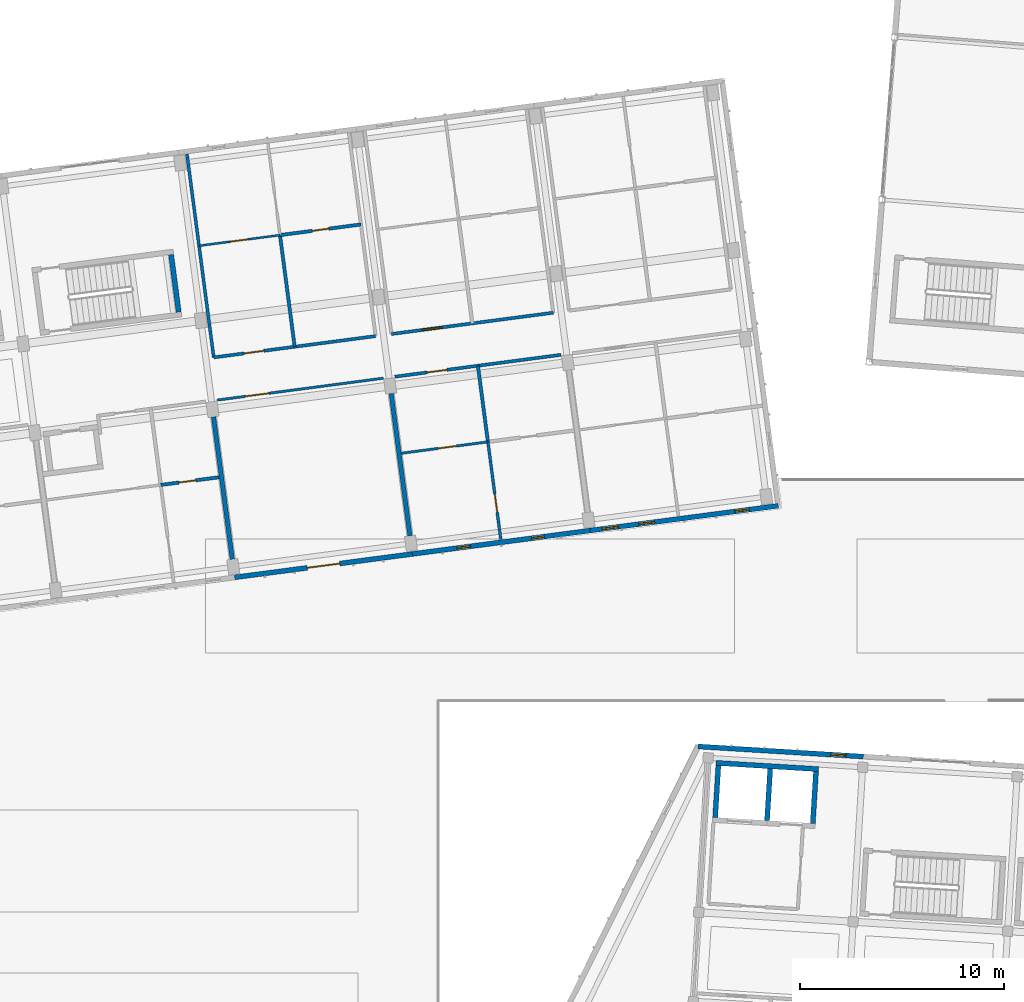
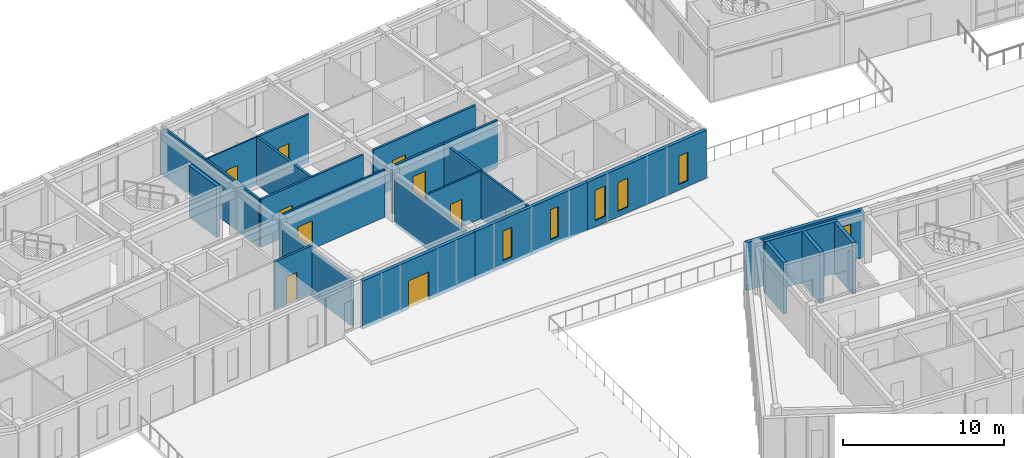
# One storey, part 94 of 150: 23 walls, 10 doors, 6 windows, 16 openings.
"""IFC4 building model written with IfcOpenShell, lengths in metres."""

from ifc_helpers import new_model, si_unit, direction, frame, frame_2d, origin, place, context, subcontext, project, spatial, rectangle, extrude, material, layer, layer_set, type_object, element, fill, save


model = new_model("IFC4")

# Units and contexts
model_context = context("Model", 3, precision=1e-05, world=origin(), true_north=direction((0.0, 1.0)))
body_context = subcontext(model_context, "Body", "Model", "MODEL_VIEW")
ifc_project = project(units=[si_unit("LENGTHUNIT", "METRE"), si_unit("AREAUNIT", "SQUARE_METRE"), si_unit("VOLUMEUNIT", "CUBIC_METRE"), si_unit("PLANEANGLEUNIT", "RADIAN"), si_unit("MASSUNIT", "GRAM", prefix="KILO")], contexts=[model_context])

# Site, building, storey
site_placement = place(None, origin())
site = spatial("IfcSite", under=ifc_project, at=site_placement, CompositionType="ELEMENT")
building_placement = place(site_placement, origin())
building = spatial("IfcBuilding", under=site, at=building_placement, Name="Kestramere Prow Commons", CompositionType="ELEMENT")
storey_placement = place(building_placement, frame((0.0, 0.0, 4.5)))
storey = spatial("IfcBuildingStorey", under=building, at=storey_placement, Name="L01", CompositionType="ELEMENT", Elevation=4.5)

# Wall, opening, door
ifc_material_1 = material(Name="Fluoropolymer Standing-Seam Zinc-Aluminium Cladding", Category="aluminium")
ifc_layer_1 = layer(ifc_material_1, 0.239990234375)
ifc_layer_set_1 = layer_set([ifc_layer_1], Name="Fluoropolymer Standing-Seam Zinc-Aluminium Cladding")
wall_type_1 = type_object("IfcWallType", Name="EW-SEAM-240", PredefinedType="SOLIDWALL", material=ifc_layer_set_1)
wall_1_placement = place(storey_placement, frame((46.16748046875, 76.073974609375, 0.0), z_axis=(0.0, 0.0, 1.0), x_axis=(-0.991444377792, -0.130529865336, 0.0)))
wall_1 = element("IfcWall", 1, at=wall_1_placement, inside=storey, type_object=wall_type_1, Name="Block A L01 South Standing-Seam Wall 4", PredefinedType="SOLIDWALL", context=body_context, shape_type="SweptSolid", body=[
    extrude(rectangle(XDim=8.800048828125, YDim=0.239990234375, at=frame_2d((4.39990234375, 0.0))), origin(), (0.0, 0.0, 1.0), 3.64990234375),
])
opening_1_placement = place(wall_1_placement, frame((3.60009765625, 0.0, 0.0)))
opening_1 = element("IfcOpeningElement", 2, at=opening_1_placement, cuts=wall_1, Name="Opening GD-TER-01", PredefinedType="OPENING", context=body_context, shape_type="SweptSolid", body=[
    extrude(rectangle(XDim=1.60009765625, YDim=2.14990234375, at=frame_2d((0.800048828125, 1.074951171875))), frame((0.0, 0.135009765625, 0.0), z_axis=(0.0, -1.0, 0.0), x_axis=(1.0, 0.0, 0.0)), (0.0, 0.0, 1.0), 0.27001953125),
])
ifc_material_2 = material(Name="Thermally-Broken Anodised Aluminium Glazed", Category="aluminium")
door_type_1 = type_object("IfcDoorType", Name="GD-TERR-1600", OperationType="DOUBLE_DOOR_SINGLE_SWING", PredefinedType="DOOR", material=ifc_material_2)
door_1_placement = place(opening_1_placement, origin())
door_1 = element("IfcDoor", 3, at=door_1_placement, inside=storey, type_object=door_type_1, Name="Block A L01 Raised Courtyard Entrance Door", OperationType="DOUBLE_DOOR_SINGLE_SWING", OverallHeight=2.14990234375, OverallWidth=1.60009765625, PredefinedType="DOOR", context=body_context, shape_type="SweptSolid", body=[
    extrude(rectangle(XDim=1.60009765625, YDim=2.14990234375, at=frame_2d((0.800048828125, 1.074951171875))), frame((0.0, 0.02490234375, 0.0), z_axis=(0.0, -1.0, 0.0), x_axis=(1.0, 0.0, 0.0)), (0.0, 0.0, 1.0), 0.050048828125),
])
fill(opening_1, door_1)

# Wall, openings, windows
wall_2_placement = place(storey_placement, frame((54.89208984375, 77.22265625, 0.0), z_axis=(0.0, 0.0, 1.0), x_axis=(-0.991443905089, -0.130533455715, 0.0)))
wall_2 = element("IfcWall", 4, at=wall_2_placement, inside=storey, type_object=wall_type_1, Name="Block A L01 South Standing-Seam Wall 5", PredefinedType="SOLIDWALL", context=body_context, shape_type="SweptSolid", body=[
    extrude(rectangle(XDim=8.7998046875, YDim=0.239990234375, at=frame_2d((4.39990234375, 0.0))), origin(), (0.0, 0.0, 1.0), 3.64990234375),
])
opening_2_placement = place(wall_2_placement, frame((2.260498046875, 0.0, 0.52001953125)))
opening_2 = element("IfcOpeningElement", 5, at=opening_2_placement, cuts=wall_2, Name="Opening WN-03", PredefinedType="OPENING", context=body_context, shape_type="SweptSolid", body=[
    extrude(rectangle(XDim=0.6201171875, YDim=2.280029296875, at=frame_2d((0.31005859375, 1.14013671875))), frame((0.0, 0.135009765625, 0.0), z_axis=(0.0, -1.0, 0.0), x_axis=(1.0, 0.0, 0.0)), (0.0, 0.0, 1.0), 0.27001953125),
])
opening_3_placement = place(wall_2_placement, frame((5.90869140625, 0.0, 0.52001953125)))
opening_3 = element("IfcOpeningElement", 6, at=opening_3_placement, cuts=wall_2, Name="Opening WN-06", PredefinedType="OPENING", context=body_context, shape_type="SweptSolid", body=[
    extrude(rectangle(XDim=0.679931640625, YDim=2.239990234375, at=frame_2d((0.33984375, 1.1201171875))), frame((0.0, 0.135009765625, 0.0), z_axis=(0.0, -1.0, 0.0), x_axis=(1.0, 0.0, 0.0)), (0.0, 0.0, 1.0), 0.27001953125),
])
ifc_material_3 = material(Name="Low-E Laminated Double Glazing", Category="glass")
window_type_1 = type_object("IfcWindowType", Name="WN-NAR-620A", PartitioningType="SINGLE_PANEL", PredefinedType="WINDOW", material=ifc_material_3)
window_1_placement = place(opening_2_placement, origin())
window_1 = element("IfcWindow", 7, at=window_1_placement, inside=storey, type_object=window_type_1, Name="WN-A-L01-S-4-00", OverallHeight=2.280029296875, OverallWidth=0.6201171875, PartitioningType="SINGLE_PANEL", PredefinedType="WINDOW", context=body_context, shape_type="SweptSolid", body=[
    extrude(rectangle(XDim=0.6201171875, YDim=2.280029296875, at=frame_2d((0.31005859375, 1.14013671875))), frame((0.0, 0.030029296875, 0.0), z_axis=(0.0, -1.0, 0.0), x_axis=(1.0, 0.0, 0.0)), (0.0, 0.0, 1.0), 0.06005859375),
])
fill(opening_2, window_1)
window_type_2 = type_object("IfcWindowType", Name="WN-NAR-680A", PartitioningType="SINGLE_PANEL", PredefinedType="WINDOW", material=ifc_material_3)
window_2_placement = place(opening_3_placement, origin())
window_2 = element("IfcWindow", 8, at=window_2_placement, inside=storey, type_object=window_type_2, Name="WN-A-L01-S-4-10", OverallHeight=2.239990234375, OverallWidth=0.679931640625, PartitioningType="SINGLE_PANEL", PredefinedType="WINDOW", context=body_context, shape_type="SweptSolid", body=[
    extrude(rectangle(XDim=0.679931640625, YDim=2.239990234375, at=frame_2d((0.33984375, 1.1201171875))), frame((0.0, 0.030029296875, 0.0), z_axis=(0.0, -1.0, 0.0), x_axis=(1.0, 0.0, 0.0)), (0.0, 0.0, 1.0), 0.06005859375),
])
fill(opening_3, window_2)

wall_3_placement = place(storey_placement, frame((64.13720703125, 78.439697265625, 0.0), z_axis=(0.0, 0.0, 1.0), x_axis=(-0.991446273426, -0.130515466173, 0.0)))
wall_3 = element("IfcWall", 9, at=wall_3_placement, inside=storey, type_object=wall_type_1, Name="Block A L01 South Standing-Seam Wall 6", PredefinedType="SOLIDWALL", context=body_context, shape_type="SweptSolid", body=[
    extrude(rectangle(XDim=9.324951171875, YDim=0.239990234375, at=frame_2d((4.66259765625, 0.0))), origin(), (0.0, 0.0, 1.0), 3.64990234375),
])
opening_4_placement = place(wall_3_placement, frame((1.4326171875, 0.0, 0.419921875)))
opening_4 = element("IfcOpeningElement", 10, at=opening_4_placement, cuts=wall_3, Name="Opening WN-08", PredefinedType="OPENING", context=body_context, shape_type="SweptSolid", body=[
    extrude(rectangle(XDim=0.719970703125, YDim=2.159912109375, at=frame_2d((0.35986328125, 1.080078125))), frame((0.0, 0.135009765625, 0.0), z_axis=(0.0, -1.0, 0.0), x_axis=(1.0, 0.0, 0.0)), (0.0, 0.0, 1.0), 0.27001953125),
])
opening_5_placement = place(wall_3_placement, frame((6.12890625, 0.0, 0.419921875)))
opening_5 = element("IfcOpeningElement", 11, at=opening_5_placement, cuts=wall_3, Name="Opening WN-11", PredefinedType="OPENING", context=body_context, shape_type="SweptSolid", body=[
    extrude(rectangle(XDim=0.780029296875, YDim=2.199951171875, at=frame_2d((0.39013671875, 1.10009765625))), frame((0.0, 0.135009765625, 0.0), z_axis=(0.0, -1.0, 0.0), x_axis=(1.0, 0.0, 0.0)), (0.0, 0.0, 1.0), 0.27001953125),
])
opening_6_placement = place(wall_3_placement, frame((7.9150390625, 0.0, 0.47998046875)))
opening_6 = element("IfcOpeningElement", 12, at=opening_6_placement, cuts=wall_3, Name="Opening WN-12", PredefinedType="OPENING", context=body_context, shape_type="SweptSolid", body=[
    extrude(rectangle(XDim=0.800048828125, YDim=2.300048828125, at=frame_2d((0.39990234375, 1.14990234375))), frame((0.0, 0.135009765625, 0.0), z_axis=(0.0, -1.0, 0.0), x_axis=(1.0, 0.0, 0.0)), (0.0, 0.0, 1.0), 0.27001953125),
])
window_type_3 = type_object("IfcWindowType", Name="WN-NAR-720A", PartitioningType="SINGLE_PANEL", PredefinedType="WINDOW", material=ifc_material_3)
window_3_placement = place(opening_4_placement, origin())
window_3 = element("IfcWindow", 13, at=window_3_placement, inside=storey, type_object=window_type_3, Name="WN-A-L01-S-5-00", OverallHeight=2.159912109375, OverallWidth=0.719970703125, PartitioningType="SINGLE_PANEL", PredefinedType="WINDOW", context=body_context, shape_type="SweptSolid", body=[
    extrude(rectangle(XDim=0.719970703125, YDim=2.159912109375, at=frame_2d((0.35986328125, 1.080078125))), frame((0.0, 0.030029296875, 0.0), z_axis=(0.0, -1.0, 0.0), x_axis=(1.0, 0.0, 0.0)), (0.0, 0.0, 1.0), 0.06005859375),
])
fill(opening_4, window_3)
window_type_4 = type_object("IfcWindowType", Name="WN-NAR-780A", PartitioningType="SINGLE_PANEL", PredefinedType="WINDOW", material=ifc_material_3)
window_4_placement = place(opening_5_placement, origin())
window_4 = element("IfcWindow", 14, at=window_4_placement, inside=storey, type_object=window_type_4, Name="WN-A-L01-S-5-10", OverallHeight=2.199951171875, OverallWidth=0.780029296875, PartitioningType="SINGLE_PANEL", PredefinedType="WINDOW", context=body_context, shape_type="SweptSolid", body=[
    extrude(rectangle(XDim=0.780029296875, YDim=2.199951171875, at=frame_2d((0.39013671875, 1.10009765625))), frame((0.0, 0.030029296875, 0.0), z_axis=(0.0, -1.0, 0.0), x_axis=(1.0, 0.0, 0.0)), (0.0, 0.0, 1.0), 0.06005859375),
])
fill(opening_5, window_4)
window_type_5 = type_object("IfcWindowType", Name="WN-NAR-800A", PartitioningType="SINGLE_PANEL", PredefinedType="WINDOW", material=ifc_material_3)
window_5_placement = place(opening_6_placement, origin())
window_5 = element("IfcWindow", 15, at=window_5_placement, inside=storey, type_object=window_type_5, Name="WN-A-L01-S-5-11", OverallHeight=2.300048828125, OverallWidth=0.800048828125, PartitioningType="SINGLE_PANEL", PredefinedType="WINDOW", context=body_context, shape_type="SweptSolid", body=[
    extrude(rectangle(XDim=0.800048828125, YDim=2.300048828125, at=frame_2d((0.39990234375, 1.14990234375))), frame((0.0, 0.030029296875, 0.0), z_axis=(0.0, -1.0, 0.0), x_axis=(1.0, 0.0, 0.0)), (0.0, 0.0, 1.0), 0.06005859375),
])
fill(opening_6, window_5)

# Wall, opening, window
wall_4_placement = place(storey_placement, frame((60.20458984375, 66.61962890625, 0.0), z_axis=(0.0, 0.0, 1.0), x_axis=(0.998134248939, -0.061057522844, 0.0)))
wall_4 = element("IfcWall", 16, at=wall_4_placement, inside=storey, type_object=wall_type_1, Name="Block C L01 North Standing-Seam Wall 1", PredefinedType="SOLIDWALL", context=body_context, shape_type="SweptSolid", body=[
    extrude(rectangle(XDim=8.125, YDim=0.239990234375, at=frame_2d((4.0625, 0.0))), origin(), (0.0, 0.0, 1.0), 3.64990234375),
])
opening_7_placement = place(wall_4_placement, frame((6.52490234375, 0.0, 0.449951171875)))
opening_7 = element("IfcOpeningElement", 17, at=opening_7_placement, cuts=wall_4, Name="Opening WN-19", PredefinedType="OPENING", context=body_context, shape_type="SweptSolid", body=[
    extrude(rectangle(XDim=0.75, YDim=2.320068359375, at=frame_2d((0.375, 1.16015625))), frame((0.0, 0.135009765625, 0.0), z_axis=(0.0, -1.0, 0.0), x_axis=(1.0, 0.0, 0.0)), (0.0, 0.0, 1.0), 0.27001953125),
])
window_type_6 = type_object("IfcWindowType", Name="WN-CLER-1800", PartitioningType="SINGLE_PANEL", PredefinedType="WINDOW", material=ifc_material_3)
window_6_placement = place(opening_7_placement, origin())
window_6 = element("IfcWindow", 18, at=window_6_placement, inside=storey, type_object=window_type_6, Name="Block C L01 Core Lobby Slot Window", OverallHeight=2.320068359375, OverallWidth=0.75, PartitioningType="SINGLE_PANEL", PredefinedType="WINDOW", context=body_context, shape_type="SweptSolid", body=[
    extrude(rectangle(XDim=0.75, YDim=2.320068359375, at=frame_2d((0.375, 1.16015625))), frame((0.0, 0.030029296875, 0.0), z_axis=(0.0, -1.0, 0.0), x_axis=(1.0, 0.0, 0.0)), (0.0, 0.0, 1.0), 0.06005859375),
])
fill(opening_7, window_6)

# Walls
ifc_material_4 = material(Name="Concrete C40/50", Category="concrete")
ifc_layer_2 = layer(ifc_material_4, 0.25)
ifc_layer_set_2 = layer_set([ifc_layer_2], Name="Concrete C40/50")
wall_type_2 = type_object("IfcWallType", Name="W-CORE-250", PredefinedType="SHEAR", material=ifc_layer_set_2)
wall_5_placement = place(storey_placement, frame((34.693603515625, 87.953125, 0.0), z_axis=(0.0, 0.0, 1.0), x_axis=(-0.130474457355, 0.991451671025, 0.0)))
element("IfcWall", 19, at=wall_5_placement, inside=storey, type_object=wall_type_2, Name="ST-A2 L01 Far Shaft Wall", PredefinedType="SHEAR", context=body_context, shape_type="SweptSolid", body=[
    extrude(rectangle(XDim=2.849853515625, YDim=0.25, at=frame_2d((1.4248046875, 0.0))), origin(), (0.0, 0.0, 1.0), 3.89990234375),
])
wall_6_placement = place(storey_placement, frame((61.08203125, 65.814453125, 0.0), z_axis=(0.0, 0.0, 1.0), x_axis=(0.998134101522, -0.061059932685, 0.0)))
element("IfcWall", 20, at=wall_6_placement, inside=storey, type_object=wall_type_2, Name="Block C L01 Lift Core Back Wall", PredefinedType="SHEAR", context=body_context, shape_type="SweptSolid", body=[
    extrude(rectangle(XDim=5.050048828125, YDim=0.25, at=frame_2d((2.52490234375, 0.0))), origin(), (0.0, 0.0, 1.0), 3.89990234375),
])
wall_7_placement = place(storey_placement, frame((61.04345703125, 63.13671875, 0.0), z_axis=(0.0, 0.0, 1.0), x_axis=(0.061078919587, 0.998132939834, 0.0)))
element("IfcWall", 21, at=wall_7_placement, inside=storey, type_object=wall_type_2, Name="Block C L01 Lift Core Side Wall L", PredefinedType="SHEAR", context=body_context, shape_type="SweptSolid", body=[
    extrude(rectangle(XDim=2.55029296875, YDim=0.25, at=frame_2d((1.275146484375, 0.0))), origin(), (0.0, 0.0, 1.0), 3.89990234375),
])
wall_8_placement = place(storey_placement, frame((63.5888671875, 62.981201171875, 0.0), z_axis=(0.0, 0.0, 1.0), x_axis=(0.060989368901, 0.998138415692, 0.0)))
element("IfcWall", 22, at=wall_8_placement, inside=storey, type_object=wall_type_2, Name="Block C L01 Lift Core Side Wall M", PredefinedType="SHEAR", context=body_context, shape_type="SweptSolid", body=[
    extrude(rectangle(XDim=2.5498046875, YDim=0.25, at=frame_2d((1.27490234375, 0.0))), origin(), (0.0, 0.0, 1.0), 3.89990234375),
])
wall_9_placement = place(storey_placement, frame((65.83447265625, 62.84375, 0.0), z_axis=(0.0, 0.0, 1.0), x_axis=(0.061084756616, 0.998132582631, 0.0)))
element("IfcWall", 23, at=wall_9_placement, inside=storey, type_object=wall_type_2, Name="Block C L01 Lift Core Side Wall R", PredefinedType="SHEAR", context=body_context, shape_type="SweptSolid", body=[
    extrude(rectangle(XDim=2.550048828125, YDim=0.25, at=frame_2d((1.27490234375, 0.0))), origin(), (0.0, 0.0, 1.0), 3.89990234375),
])

# Wall, opening, door
ifc_material_5 = material(Name="Fire-Rated Calcium Silicate Wall")
ifc_layer_3 = layer(ifc_material_5, 0.155029296875)
ifc_layer_set_3 = layer_set([ifc_layer_3], Name="Fire-Rated Calcium Silicate Wall")
wall_type_3 = type_object("IfcWallType", Name="W-FIRE-150", PredefinedType="PARTITIONING", material=ifc_layer_set_3)
wall_10_placement = place(storey_placement, frame((45.30859375, 84.781494140625, 0.0), z_axis=(0.0, 0.0, 1.0), x_axis=(0.991444700604, 0.130527413383, 0.0)))
wall_10 = element("IfcWall", 24, at=wall_10_placement, inside=storey, type_object=wall_type_3, Name="Interior Partition PW-A-L01-CS-4", PredefinedType="PARTITIONING", context=body_context, shape_type="SweptSolid", body=[
    extrude(rectangle(XDim=8.229736328125, YDim=0.155029296875, at=frame_2d((4.11474609375, 0.0))), origin(), (0.0, 0.0, 1.0), 3.6201171875),
])
opening_8_placement = place(wall_10_placement, frame((1.60498046875, 0.0, 0.0)))
opening_8 = element("IfcOpeningElement", 25, at=opening_8_placement, cuts=wall_10, Name="Opening ID-04", PredefinedType="OPENING", context=body_context, shape_type="SweptSolid", body=[
    extrude(rectangle(XDim=0.97998046875, YDim=2.14990234375, at=frame_2d((0.489990234375, 1.074951171875))), frame((0.0, 0.092529296875, 0.0), z_axis=(0.0, -1.0, 0.0), x_axis=(1.0, 0.0, 0.0)), (0.0, 0.0, 1.0), 0.18505859375),
])
ifc_material_6 = material(Name="Hardwood Fire-Rated Flat Entrance Door", Category="wood")
door_type_2 = type_object("IfcDoorType", Name="FD-ENT-01", OperationType="NOTDEFINED", PredefinedType="DOOR", material=ifc_material_6)
door_2_placement = place(opening_8_placement, origin())
door_2 = element("IfcDoor", 26, at=door_2_placement, inside=storey, type_object=door_type_2, Name="Interior Door DR-A-L01-ENT-S4", OperationType="SINGLE_SWING_RIGHT", OverallHeight=2.14990234375, OverallWidth=0.97998046875, PredefinedType="DOOR", context=body_context, shape_type="SweptSolid", body=[
    extrude(rectangle(XDim=0.97998046875, YDim=2.14990234375, at=frame_2d((0.489990234375, 1.074951171875))), frame((0.0, 0.02490234375, 0.0), z_axis=(0.0, -1.0, 0.0), x_axis=(1.0, 0.0, 0.0)), (0.0, 0.0, 1.0), 0.050048828125),
])
fill(opening_8, door_2)

wall_11_placement = place(storey_placement, frame((36.413818359375, 85.728515625, 0.0), z_axis=(0.0, 0.0, 1.0), x_axis=(0.991444034844, 0.130532470184, 0.0)))
wall_11 = element("IfcWall", 27, at=wall_11_placement, inside=storey, type_object=wall_type_3, Name="Interior Partition PW-A-L01-CN-3", PredefinedType="PARTITIONING", context=body_context, shape_type="SweptSolid", body=[
    extrude(rectangle(XDim=8.02001953125, YDim=0.155029296875, at=frame_2d((4.010009765625, 0.0))), origin(), (0.0, 0.0, 1.0), 3.6201171875),
])
opening_9_placement = place(wall_11_placement, frame((1.5048828125, 0.0, 0.0)))
opening_9 = element("IfcOpeningElement", 28, at=opening_9_placement, cuts=wall_11, Name="Opening ID-04", PredefinedType="OPENING", context=body_context, shape_type="SweptSolid", body=[
    extrude(rectangle(XDim=0.97998046875, YDim=2.14990234375, at=frame_2d((0.489990234375, 1.074951171875))), frame((0.0, 0.092529296875, 0.0), z_axis=(0.0, -1.0, 0.0), x_axis=(1.0, 0.0, 0.0)), (0.0, 0.0, 1.0), 0.18505859375),
])
door_3_placement = place(opening_9_placement, origin())
door_3 = element("IfcDoor", 29, at=door_3_placement, inside=storey, type_object=door_type_2, Name="Interior Door DR-A-L01-ENT-N3", OperationType="SINGLE_SWING_RIGHT", OverallHeight=2.14990234375, OverallWidth=0.97998046875, PredefinedType="DOOR", context=body_context, shape_type="SweptSolid", body=[
    extrude(rectangle(XDim=0.97998046875, YDim=2.14990234375, at=frame_2d((0.489990234375, 1.074951171875))), frame((0.0, 0.02490234375, 0.0), z_axis=(0.0, -1.0, 0.0), x_axis=(1.0, 0.0, 0.0)), (0.0, 0.0, 1.0), 0.050048828125),
])
fill(opening_9, door_3)

wall_12_placement = place(storey_placement, frame((45.138427734375, 86.877197265625, 0.0), z_axis=(0.0, 0.0, 1.0), x_axis=(0.991444034844, 0.130532470184, 0.0)))
wall_12 = element("IfcWall", 30, at=wall_12_placement, inside=storey, type_object=wall_type_3, Name="Interior Partition PW-A-L01-CN-4", PredefinedType="PARTITIONING", context=body_context, shape_type="SweptSolid", body=[
    extrude(rectangle(XDim=8.02001953125, YDim=0.155029296875, at=frame_2d((4.010009765625, 0.0))), origin(), (0.0, 0.0, 1.0), 3.6201171875),
])
opening_10_placement = place(wall_12_placement, frame((1.5048828125, 0.0, 0.0)))
opening_10 = element("IfcOpeningElement", 31, at=opening_10_placement, cuts=wall_12, Name="Opening ID-05", PredefinedType="OPENING", context=body_context, shape_type="SweptSolid", body=[
    extrude(rectangle(XDim=1.02001953125, YDim=2.199951171875, at=frame_2d((0.510009765625, 1.10009765625))), frame((0.0, 0.092529296875, 0.0), z_axis=(0.0, -1.0, 0.0), x_axis=(1.0, 0.0, 0.0)), (0.0, 0.0, 1.0), 0.18505859375),
])
door_type_3 = type_object("IfcDoorType", Name="FD-ENT-02", OperationType="NOTDEFINED", PredefinedType="DOOR", material=ifc_material_6)
door_4_placement = place(opening_10_placement, origin())
door_4 = element("IfcDoor", 32, at=door_4_placement, inside=storey, type_object=door_type_3, Name="Interior Door DR-A-L01-ENT-N4", OperationType="SINGLE_SWING_LEFT", OverallHeight=2.199951171875, OverallWidth=1.02001953125, PredefinedType="DOOR", context=body_context, shape_type="SweptSolid", body=[
    extrude(rectangle(XDim=1.02001953125, YDim=2.199951171875, at=frame_2d((0.510009765625, 1.10009765625))), frame((0.0, 0.02490234375, 0.0), z_axis=(0.0, -1.0, 0.0), x_axis=(1.0, 0.0, 0.0)), (0.0, 0.0, 1.0), 0.050048828125),
])
fill(opening_10, door_4)

ifc_material_7 = material(Name="Gypsum Acoustic Drywall")
ifc_layer_4 = layer(ifc_material_7, 0.10009765625)
ifc_layer_set_4 = layer_set([ifc_layer_4], Name="Gypsum Acoustic Drywall")
wall_type_4 = type_object("IfcWallType", Name="W-PART-100", PredefinedType="PARTITIONING", material=ifc_layer_set_4)
wall_13_placement = place(storey_placement, frame((35.69189453125, 91.211181640625, 0.0), z_axis=(0.0, 0.0, 1.0), x_axis=(0.991444553502, 0.130528530716, 0.0)))
wall_13 = element("IfcWall", 33, at=wall_13_placement, inside=storey, type_object=wall_type_4, Name="Interior Partition PW-A-L01-MIDN1-3", PredefinedType="PARTITIONING", context=body_context, shape_type="SweptSolid", body=[
    extrude(rectangle(XDim=4.01025390625, YDim=0.10009765625, at=frame_2d((2.005126953125, 0.0))), origin(), (0.0, 0.0, 1.0), 3.6201171875),
])
opening_11_placement = place(wall_13_placement, frame((1.554931640625, 0.0, 0.0)))
opening_11 = element("IfcOpeningElement", 34, at=opening_11_placement, cuts=wall_13, Name="Opening ID-10", PredefinedType="OPENING", context=body_context, shape_type="SweptSolid", body=[
    extrude(rectangle(XDim=0.8798828125, YDim=2.10009765625, at=frame_2d((0.43994140625, 1.050048828125))), frame((0.0, 0.06494140625, 0.0), z_axis=(0.0, -1.0, 0.0), x_axis=(1.0, 0.0, 0.0)), (0.0, 0.0, 1.0), 0.130126953125),
])
ifc_material_8 = material(Name="Engineered Timber Bedroom Door", Category="wood")
door_type_4 = type_object("IfcDoorType", Name="D-RM-03", OperationType="NOTDEFINED", PredefinedType="DOOR", material=ifc_material_8)
door_5_placement = place(opening_11_placement, origin())
door_5 = element("IfcDoor", 35, at=door_5_placement, inside=storey, type_object=door_type_4, Name="Interior Door DR-A-L01-KL-N3", OperationType="SINGLE_SWING_LEFT", OverallHeight=2.10009765625, OverallWidth=0.8798828125, PredefinedType="DOOR", context=body_context, shape_type="SweptSolid", body=[
    extrude(rectangle(XDim=0.8798828125, YDim=2.10009765625, at=frame_2d((0.43994140625, 1.050048828125))), frame((0.0, 0.02490234375, 0.0), z_axis=(0.0, -1.0, 0.0), x_axis=(1.0, 0.0, 0.0)), (0.0, 0.0, 1.0), 0.050048828125),
])
fill(opening_11, door_5)

ifc_material_9 = material(Name="Lightweight Blockwork and Plaster", Category="masonry")
ifc_layer_5 = layer(ifc_material_9, 0.1201171875)
ifc_layer_set_5 = layer_set([ifc_layer_5], Name="Lightweight Blockwork and Plaster")
wall_type_5 = type_object("IfcWallType", Name="W-PART-120", PredefinedType="PARTITIONING", material=ifc_layer_set_5)
wall_14_placement = place(storey_placement, frame((36.583740234375, 83.6328125, 0.0), z_axis=(0.0, 0.0, 1.0), x_axis=(0.991445206002, 0.130523574484, 0.0)))
wall_14 = element("IfcWall", 36, at=wall_14_placement, inside=storey, type_object=wall_type_5, Name="Interior Partition PW-A-L01-CRT-CS", PredefinedType="PARTITIONING", context=body_context, shape_type="SweptSolid", body=[
    extrude(rectangle(XDim=8.22998046875, YDim=0.1201171875, at=frame_2d((4.114990234375, 0.0))), origin(), (0.0, 0.0, 1.0), 3.6201171875),
])
opening_12_placement = place(wall_14_placement, frame((1.39990234375, 0.0, 0.0)))
opening_12 = element("IfcOpeningElement", 37, at=opening_12_placement, cuts=wall_14, Name="Opening ID-09", PredefinedType="OPENING", context=body_context, shape_type="SweptSolid", body=[
    extrude(rectangle(XDim=1.14990234375, YDim=2.14990234375, at=frame_2d((0.574951171875, 1.074951171875))), frame((0.0, 0.074951171875, 0.0), z_axis=(0.0, -1.0, 0.0), x_axis=(1.0, 0.0, 0.0)), (0.0, 0.0, 1.0), 0.150146484375),
])
ifc_material_10 = material(Name="Engineered Timber Acoustic Door", Category="wood")
door_type_5 = type_object("IfcDoorType", Name="D-RM-02", OperationType="NOTDEFINED", PredefinedType="DOOR", material=ifc_material_10)
door_6_placement = place(opening_12_placement, origin())
door_6 = element("IfcDoor", 38, at=door_6_placement, inside=storey, type_object=door_type_5, Name="Interior Door DR-A-L01-CRTLNG", OperationType="SINGLE_SWING_LEFT", OverallHeight=2.14990234375, OverallWidth=1.14990234375, PredefinedType="DOOR", context=body_context, shape_type="SweptSolid", body=[
    extrude(rectangle(XDim=1.14990234375, YDim=2.14990234375, at=frame_2d((0.574951171875, 1.074951171875))), frame((0.0, 0.02490234375, 0.0), z_axis=(0.0, -1.0, 0.0), x_axis=(1.0, 0.0, 0.0)), (0.0, 0.0, 1.0), 0.050048828125),
])
fill(opening_12, door_6)

wall_15_placement = place(storey_placement, frame((45.632080078125, 81.021484375, 0.0), z_axis=(0.0, 0.0, 1.0), x_axis=(0.991444014242, 0.130532626667, 0.0)))
wall_15 = element("IfcWall", 39, at=wall_15_placement, inside=storey, type_object=wall_type_5, Name="Interior Partition PW-A-L01-MIDS1-4", PredefinedType="PARTITIONING", context=body_context, shape_type="SweptSolid", body=[
    extrude(rectangle(XDim=4.284912109375, YDim=0.1201171875, at=frame_2d((2.142578125, 0.0))), origin(), (0.0, 0.0, 1.0), 3.6201171875),
])
opening_13_placement = place(wall_15_placement, frame((1.824951171875, 0.0, 0.0)))
opening_13 = element("IfcOpeningElement", 40, at=opening_13_placement, cuts=wall_15, Name="Opening ID-08", PredefinedType="OPENING", context=body_context, shape_type="SweptSolid", body=[
    extrude(rectangle(XDim=0.89990234375, YDim=2.10009765625, at=frame_2d((0.449951171875, 1.050048828125))), frame((0.0, 0.074951171875, 0.0), z_axis=(0.0, -1.0, 0.0), x_axis=(1.0, 0.0, 0.0)), (0.0, 0.0, 1.0), 0.150146484375),
])
ifc_material_11 = material(Name="Engineered Timber Flush Door", Category="wood")
door_type_6 = type_object("IfcDoorType", Name="D-RM-01", OperationType="NOTDEFINED", PredefinedType="DOOR", material=ifc_material_11)
door_7_placement = place(opening_13_placement, origin())
door_7 = element("IfcDoor", 41, at=door_7_placement, inside=storey, type_object=door_type_6, Name="Interior Door DR-A-L01-KL-S4", OperationType="SINGLE_SWING_RIGHT", OverallHeight=2.10009765625, OverallWidth=0.89990234375, PredefinedType="DOOR", context=body_context, shape_type="SweptSolid", body=[
    extrude(rectangle(XDim=0.89990234375, YDim=2.10009765625, at=frame_2d((0.449951171875, 1.050048828125))), frame((0.0, 0.02490234375, 0.0), z_axis=(0.0, -1.0, 0.0), x_axis=(1.0, 0.0, 0.0)), (0.0, 0.0, 1.0), 0.050048828125),
])
fill(opening_13, door_7)

ifc_material_12 = material(Name="Masonry Compartment Wall", Category="masonry")
ifc_layer_6 = layer(ifc_material_12, 0.139892578125)
ifc_layer_set_6 = layer_set([ifc_layer_6], Name="Masonry Compartment Wall")
wall_type_6 = type_object("IfcWallType", Name="W-PART-140", PredefinedType="PARTITIONING", material=ifc_layer_set_6)
wall_16_placement = place(storey_placement, frame((50.51220703125, 76.7822265625, 0.0), z_axis=(0.0, 0.0, 1.0), x_axis=(-0.130544545786, 0.991442444908, 0.0)))
wall_16 = element("IfcWall", 42, at=wall_16_placement, inside=storey, type_object=wall_type_6, Name="Interior Partition PW-A-L01-LB-S4", PredefinedType="PARTITIONING", context=body_context, shape_type="SweptSolid", body=[
    extrude(rectangle(XDim=4.840087890625, YDim=0.139892578125, at=frame_2d((2.419921875, 0.0))), origin(), (0.0, 0.0, 1.0), 3.6201171875),
])
opening_14_placement = place(wall_16_placement, frame((1.35009765625, 0.0, 0.0)))
opening_14 = element("IfcOpeningElement", 43, at=opening_14_placement, cuts=wall_16, Name="Opening ID-08", PredefinedType="OPENING", context=body_context, shape_type="SweptSolid", body=[
    extrude(rectangle(XDim=0.89990234375, YDim=2.10009765625, at=frame_2d((0.449951171875, 1.050048828125))), frame((0.0, 0.0849609375, 0.0), z_axis=(0.0, -1.0, 0.0), x_axis=(1.0, 0.0, 0.0)), (0.0, 0.0, 1.0), 0.169921875),
])
door_8_placement = place(opening_14_placement, origin())
door_8 = element("IfcDoor", 44, at=door_8_placement, inside=storey, type_object=door_type_6, Name="Interior Door DR-A-L01-BED-S4", OperationType="SINGLE_SWING_LEFT", OverallHeight=2.10009765625, OverallWidth=0.89990234375, PredefinedType="DOOR", context=body_context, shape_type="SweptSolid", body=[
    extrude(rectangle(XDim=0.89990234375, YDim=2.10009765625, at=frame_2d((0.449951171875, 1.050048828125))), frame((0.0, 0.02490234375, 0.0), z_axis=(0.0, -1.0, 0.0), x_axis=(1.0, 0.0, 0.0)), (0.0, 0.0, 1.0), 0.050048828125),
])
fill(opening_14, door_8)

# Wall
ifc_layer_7 = layer(ifc_material_12, 0.14990234375)
ifc_layer_set_7 = layer_set([ifc_layer_7], Name="Masonry Compartment Wall")
wall_type_7 = type_object("IfcWallType", Name="W-PART-150", PredefinedType="PARTITIONING", material=ifc_layer_set_7)
wall_17_placement = place(storey_placement, frame((36.413818359375, 85.728515625, 0.0), z_axis=(0.0, 0.0, 1.0), x_axis=(-0.130531024319, 0.991444225204, 0.0)))
element("IfcWall", 45, at=wall_17_placement, inside=storey, type_object=wall_type_7, Name="Interior Partition PW-A-L01-NWL-3", PredefinedType="PARTITIONING", context=body_context, shape_type="SweptSolid", body=[
    extrude(rectangle(XDim=10.070068359375, YDim=0.14990234375, at=frame_2d((5.03515625, 0.0))), origin(), (0.0, 0.0, 1.0), 3.6201171875),
])

# Wall, opening, door
ifc_material_13 = material(Name="Waterproof Sanitary Masonry Wall", Category="masonry")
ifc_layer_8 = layer(ifc_material_13, 0.1650390625)
ifc_layer_set_8 = layer_set([ifc_layer_8], Name="Waterproof Sanitary Masonry Wall")
wall_type_8 = type_object("IfcWallType", Name="W-PLUMB-150", PredefinedType="PLUMBINGWALL", material=ifc_layer_set_8)
wall_18_placement = place(storey_placement, frame((33.81396484375, 79.465576171875, 0.0), z_axis=(0.0, 0.0, 1.0), x_axis=(0.9914456672, 0.130520071219, 0.0)))
wall_18 = element("IfcWall", 46, at=wall_18_placement, inside=storey, type_object=wall_type_8, Name="Interior Partition PW-A-L01-MIDS2-2", PredefinedType="PLUMBINGWALL", context=body_context, shape_type="SweptSolid", body=[
    extrude(rectangle(XDim=2.889892578125, YDim=0.1650390625, at=frame_2d((1.44482421875, 0.0))), origin(), (0.0, 0.0, 1.0), 3.6201171875),
])
opening_15_placement = place(wall_18_placement, frame((0.903076171875, 0.0, 0.0)))
opening_15 = element("IfcOpeningElement", 47, at=opening_15_placement, cuts=wall_18, Name="Opening ID-11", PredefinedType="OPENING", context=body_context, shape_type="SweptSolid", body=[
    extrude(rectangle(XDim=0.820068359375, YDim=2.080078125, at=frame_2d((0.41015625, 1.0400390625))), frame((0.0, 0.097412109375, 0.0), z_axis=(0.0, -1.0, 0.0), x_axis=(1.0, 0.0, 0.0)), (0.0, 0.0, 1.0), 0.195068359375),
])
ifc_material_14 = material(Name="Moisture-Resistant Timber Bathroom Door", Category="wood")
door_type_7 = type_object("IfcDoorType", Name="D-BT-01", OperationType="NOTDEFINED", PredefinedType="DOOR", material=ifc_material_14)
door_9_placement = place(opening_15_placement, origin())
door_9 = element("IfcDoor", 48, at=door_9_placement, inside=storey, type_object=door_type_7, Name="Interior Door DR-A-L01-BTH-S2", OperationType="SINGLE_SWING_LEFT", OverallHeight=2.080078125, OverallWidth=0.820068359375, PredefinedType="DOOR", context=body_context, shape_type="SweptSolid", body=[
    extrude(rectangle(XDim=0.820068359375, YDim=2.080078125, at=frame_2d((0.41015625, 1.0400390625))), frame((0.0, 0.02490234375, 0.0), z_axis=(0.0, -1.0, 0.0), x_axis=(1.0, 0.0, 0.0)), (0.0, 0.0, 1.0), 0.050048828125),
])
fill(opening_15, door_9)

# Wall
wall_19_placement = place(storey_placement, frame((49.88037109375, 81.580810546875, 0.0), z_axis=(0.0, 0.0, 1.0), x_axis=(-0.130551670646, 0.991441506742, 0.0)))
element("IfcWall", 49, at=wall_19_placement, inside=storey, type_object=wall_type_8, Name="Interior Partition PW-A-L01-KB-S4", PredefinedType="PLUMBINGWALL", context=body_context, shape_type="SweptSolid", body=[
    extrude(rectangle(XDim=3.77001953125, YDim=0.1650390625, at=frame_2d((1.885009765625, 0.0))), origin(), (0.0, 0.0, 1.0), 3.6201171875),
])

# Wall, opening, door
wall_20_placement = place(storey_placement, frame((39.667724609375, 91.734619140625, 0.0), z_axis=(0.0, 0.0, 1.0), x_axis=(0.991443516139, 0.130536409887, 0.0)))
wall_20 = element("IfcWall", 50, at=wall_20_placement, inside=storey, type_object=wall_type_8, Name="Interior Partition PW-A-L01-MIDN2-3", PredefinedType="PLUMBINGWALL", context=body_context, shape_type="SweptSolid", body=[
    extrude(rectangle(XDim=4.010009765625, YDim=0.1650390625, at=frame_2d((2.0048828125, 0.0))), origin(), (0.0, 0.0, 1.0), 3.6201171875),
])
opening_16_placement = place(wall_20_placement, frame((1.594970703125, 0.0, 0.0)))
opening_16 = element("IfcOpeningElement", 51, at=opening_16_placement, cuts=wall_20, Name="Opening ID-11", PredefinedType="OPENING", context=body_context, shape_type="SweptSolid", body=[
    extrude(rectangle(XDim=0.820068359375, YDim=2.080078125, at=frame_2d((0.41015625, 1.0400390625))), frame((0.0, 0.097412109375, 0.0), z_axis=(0.0, -1.0, 0.0), x_axis=(1.0, 0.0, 0.0)), (0.0, 0.0, 1.0), 0.195068359375),
])
door_10_placement = place(opening_16_placement, origin())
door_10 = element("IfcDoor", 52, at=door_10_placement, inside=storey, type_object=door_type_7, Name="Interior Door DR-A-L01-BTH-N3", OperationType="SINGLE_SWING_RIGHT", OverallHeight=2.080078125, OverallWidth=0.820068359375, PredefinedType="DOOR", context=body_context, shape_type="SweptSolid", body=[
    extrude(rectangle(XDim=0.820068359375, YDim=2.080078125, at=frame_2d((0.41015625, 1.0400390625))), frame((0.0, 0.02490234375, 0.0), z_axis=(0.0, -1.0, 0.0), x_axis=(1.0, 0.0, 0.0)), (0.0, 0.0, 1.0), 0.050048828125),
])
fill(opening_16, door_10)

# Walls
wall_21_placement = place(storey_placement, frame((40.389404296875, 86.251953125, 0.0), z_axis=(0.0, 0.0, 1.0), x_axis=(-0.130503619975, 0.991447832805, 0.0)))
element("IfcWall", 53, at=wall_21_placement, inside=storey, type_object=wall_type_8, Name="Interior Partition PW-A-L01-KB-N3", PredefinedType="PLUMBINGWALL", context=body_context, shape_type="SweptSolid", body=[
    extrude(rectangle(XDim=5.530029296875, YDim=0.1650390625, at=frame_2d((2.76513671875, 0.0))), origin(), (0.0, 0.0, 1.0), 3.6201171875),
])
ifc_material_15 = material(Name="Precast concrete C40/50", Category="concrete")
ifc_layer_9 = layer(ifc_material_15, 0.219970703125)
ifc_layer_set_9 = layer_set([ifc_layer_9], Name="Precast concrete C40/50")
wall_type_9 = type_object("IfcWallType", Name="W-XWALL-220", PredefinedType="SHEAR", material=ifc_layer_set_9)
for number, where, z_axis, x_axis, name in (
    (54, (37.3251953125, 75.817626953125, -0.25), (0.0, 0.0, 1.0), (-0.130519009654, 0.99144580695, 0.0), "Block A L01 Precast Cross-Wall 3"),
    (55, (46.0498046875, 76.96630859375, -0.25), (0.0, 0.0, 1.0), (-0.130519009654, 0.99144580695, 0.0), "Block A L01 Precast Cross-Wall 4"),
):
    element("IfcWall", number, at=place(storey_placement, frame(where, z_axis=z_axis, x_axis=x_axis)), inside=storey, type_object=wall_type_9, Name=name, PredefinedType="SHEAR", context=body_context, shape_type="SweptSolid", body=[
        extrude(rectangle(XDim=7.050048828125, YDim=0.219970703125, at=frame_2d((3.52490234375, 0.0))), origin(), (0.0, 0.0, 1.0), 3.39990234375),
    ])

save(model, "model.ifc")
